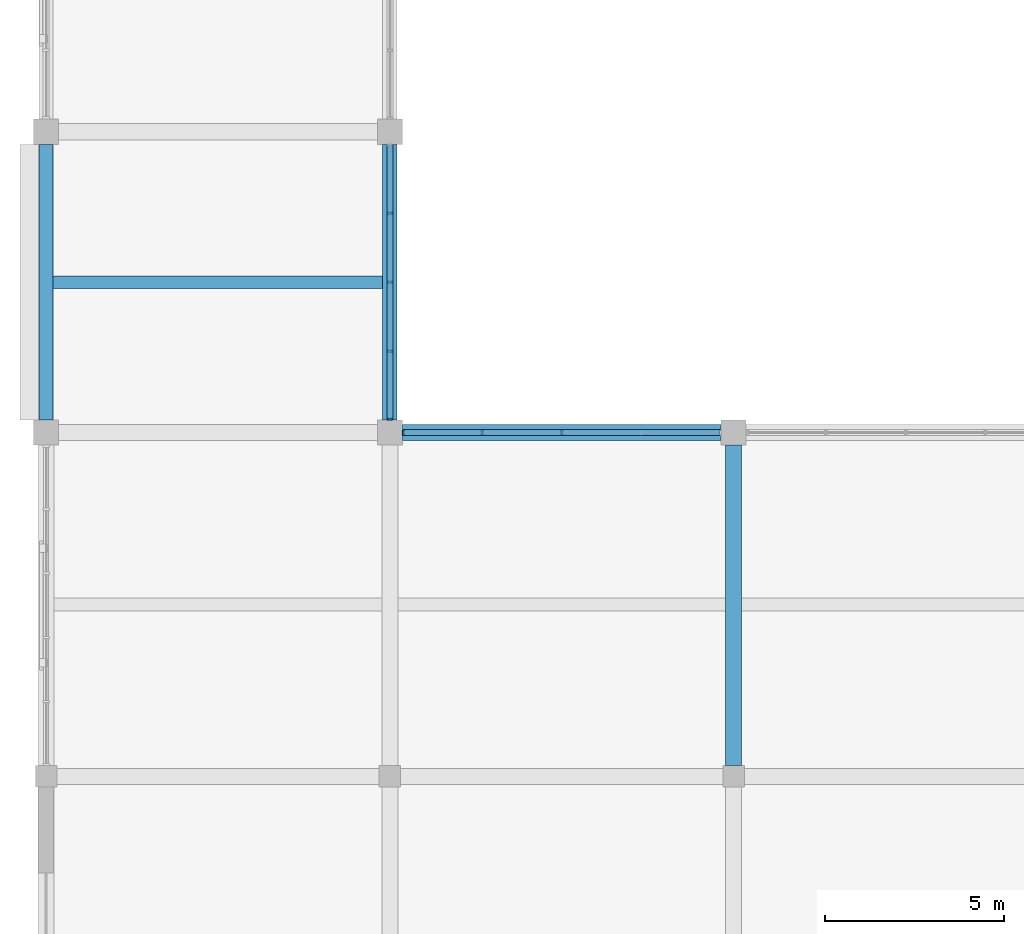
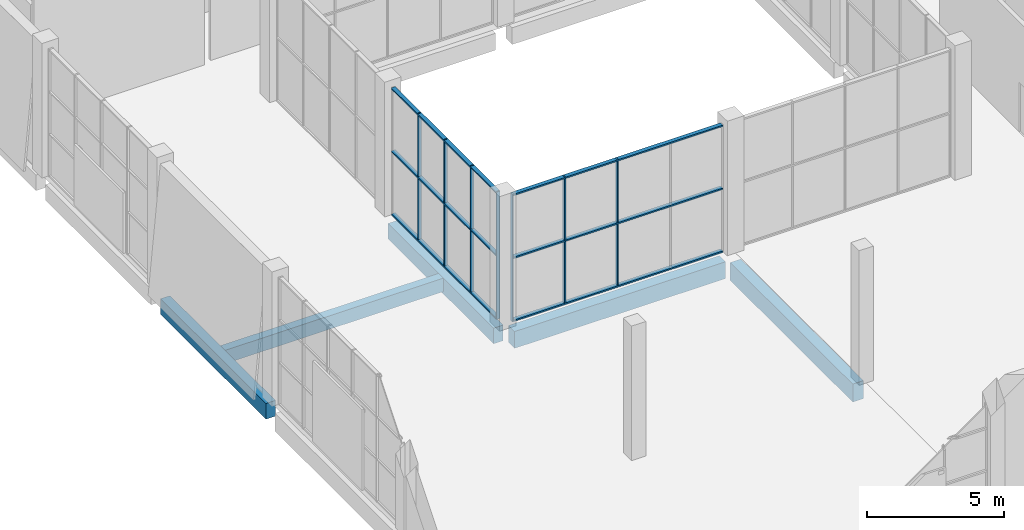
# One storey, part 19 of 84: 13 members, 5 beams, 2 elements without a shape of their own.
"""IFC4 building model written with IfcOpenShell, lengths in metres."""

import ifcopenshell
import ifcopenshell.guid

model = None  # the IFC model being written
_history = None  # IfcOwnerHistory: only IFC2X3 demands one
_inside = {}  # id of a spatial element -> (the spatial element, [elements in it])
_under = {}  # id of a project, library or spatial element -> (it, [spatial elements below it])
_declared = {}  # id of a project -> (the project, [libraries it declares])
_typed = {}  # id of a type object -> (the type object, [elements of that type])
_made_of = {}  # id of a material, layer set ... -> (it, [elements and type objects made of it])


def new_model(schema):
    """Start an empty IFC model of exactly this schema.

    Asked for "IFC4X3", IfcOpenShell would pick the latest addendum, in which some entities
    have other attributes; the version numbers below select the first issue.
    IFC2X3 requires an IfcOwnerHistory on every rooted entity: one is made here for all.
    """
    global model, _history
    if schema == "IFC4X3":
        model = ifcopenshell.file(schema_version=(4, 3, 0, 0))
    else:
        model = ifcopenshell.file(schema=schema)
    _inside.clear()
    _under.clear()
    _declared.clear()
    _typed.clear()
    _made_of.clear()
    _history = None
    if model.schema == "IFC2X3":
        org = make("IfcOrganization", Name="unknown")
        user = make(
            "IfcPersonAndOrganization",
            ThePerson=make("IfcPerson", FamilyName="unknown"),
            TheOrganization=org,
        )
        app = make(
            "IfcApplication",
            ApplicationDeveloper=org,
            Version="unknown",
            ApplicationFullName="unknown",
            ApplicationIdentifier="unknown",
        )
        _history = make(
            "IfcOwnerHistory",
            OwningUser=user,
            OwningApplication=app,
            ChangeAction="ADDED",
            CreationDate=0,
        )
    return model


def make(cls, **values):
    """One entity of the class cls with the attributes given. An attribute that is None is left unset."""
    return model.create_entity(
        cls, **{name: value for name, value in values.items() if value is not None}
    )


def rooted(cls, **values):
    """An entity with a GlobalId (a new one), such as an element, a storey or a relation."""
    return make(cls, GlobalId=ifcopenshell.guid.new(), OwnerHistory=_history, **values)


def si_unit(unit_type, name, prefix=None):
    """IfcSIUnit, for example si_unit("LENGTHUNIT", "METRE", prefix="MILLI")."""
    return make("IfcSIUnit", UnitType=unit_type, Prefix=prefix, Name=name)


def assignment(units):
    """IfcUnitAssignment: the units of a project."""
    return None if units is None else make("IfcUnitAssignment", Units=units)


def point(xyz):
    """IfcCartesianPoint."""
    return None if xyz is None else make("IfcCartesianPoint", Coordinates=xyz)


def direction(xyz):
    """IfcDirection."""
    return None if xyz is None else make("IfcDirection", DirectionRatios=xyz)


def frame(location, z_axis=None, x_axis=None):
    """IfcAxis2Placement3D, a coordinate frame: its origin and axes. An axis left out is left unset."""
    return make(
        "IfcAxis2Placement3D",
        Location=point(location),
        Axis=direction(z_axis),
        RefDirection=direction(x_axis),
    )


def frame_2d(location, x_axis=None):
    """IfcAxis2Placement2D, a coordinate frame in the plane: its origin and x axis."""
    return make(
        "IfcAxis2Placement2D", Location=point(location), RefDirection=direction(x_axis)
    )


def origin():
    """The frame at (0, 0, 0) with its axes left unset."""
    return frame((0.0, 0.0, 0.0))


def origin_2d():
    """The frame at (0, 0) in the plane with its x axis left unset."""
    return frame_2d((0.0, 0.0))


def place(relative_to, where):
    """IfcLocalPlacement: puts the frame where relative to a parent placement (None: the world)."""
    return make(
        "IfcLocalPlacement", PlacementRelTo=relative_to, RelativePlacement=where
    )


def context(
    kind, dimensions, precision=None, world=None, true_north=None, identifier=None
):
    """IfcGeometricRepresentationContext, for example the 3D "Model" context."""
    return make(
        "IfcGeometricRepresentationContext",
        ContextIdentifier=identifier,
        ContextType=kind,
        CoordinateSpaceDimension=dimensions,
        Precision=precision,
        WorldCoordinateSystem=world,
        TrueNorth=true_north,
    )


def subcontext(parent, identifier, kind, view, scale=None):
    """IfcGeometricRepresentationSubContext, for example "Body" below "Model"."""
    return make(
        "IfcGeometricRepresentationSubContext",
        ContextIdentifier=identifier,
        ContextType=kind,
        ParentContext=parent,
        TargetScale=scale,
        TargetView=view,
    )


def project(units=None, contexts=None):
    """IfcProject with its units and contexts."""
    return rooted(
        "IfcProject",
        Name="project",
        RepresentationContexts=contexts,
        UnitsInContext=assignment(units),
    )


def spatial(cls, under=None, at=None, **own):
    """A site, building, storey or space (cls), placed at a placement, below another one or the project."""
    s = rooted(cls, ObjectPlacement=at, **own)
    if under is not None:
        _under.setdefault(under.id(), (under, []))[1].append(s)
    return s


def profile(cls, at=None, kind="AREA", **sizes):
    """A parametric profile (cls). Its sizes go by their IFC names, for example OverallWidth=200.0."""
    return make(cls, ProfileType=kind, Position=at, **sizes)


def rectangle(**sizes):
    """IfcRectangleProfileDef."""
    return profile("IfcRectangleProfileDef", **sizes)


def extrude(swept, where, along, depth):
    """IfcExtrudedAreaSolid: the profile swept, set in the frame where, extruded along a direction by depth."""
    return make(
        "IfcExtrudedAreaSolid",
        SweptArea=swept,
        Position=where,
        ExtrudedDirection=direction(along),
        Depth=depth,
    )


def shape(context_of_items, identifier, shape_type, items):
    """IfcShapeRepresentation: the items that make up one representation, for example the "Body"."""
    return make(
        "IfcShapeRepresentation",
        ContextOfItems=context_of_items,
        RepresentationIdentifier=identifier,
        RepresentationType=shape_type,
        Items=items,
    )


def material(Name=None, Category=None):
    """IfcMaterial."""
    return make("IfcMaterial", Name=Name, Category=Category)


def material_profile(
    of_material, cross_section, Name=None, Category=None, Priority=None
):
    """IfcMaterialProfile: a cross section and its material."""
    return make(
        "IfcMaterialProfile",
        Name=Name,
        Material=of_material,
        Profile=cross_section,
        Priority=Priority,
        Category=Category,
    )


def profile_set(profiles, Name=None, composite=None):
    """IfcMaterialProfileSet."""
    return make(
        "IfcMaterialProfileSet",
        Name=Name,
        MaterialProfiles=profiles,
        CompositeProfile=composite,
    )


def made_of(thing, what):
    """Note that an element or type object is made of a material, layer set ...; save() writes the relation."""
    if what is not None:
        _made_of.setdefault(what.id(), (what, []))[1].append(thing)
    return thing


def type_object(cls, material=None, **own):
    """A type object (cls), such as IfcWallType, which elements share."""
    return made_of(rooted(cls, **own), material)


def element(
    cls,
    number,
    at=None,
    inside=None,
    cuts=None,
    type_object=None,
    material=None,
    context=None,
    identifier="Body",
    shape_type=None,
    held_by="IfcProductDefinitionShape",
    body=None,
    shapes=None,
    **own,
):
    """One element of the class cls, such as IfcWall. Its Tag is "e" and its number.

    at: its placement. inside: the storey or other place that contains it. cuts: it is an
    opening in that element (IfcRelVoidsElement). A single representation is given by context,
    identifier, shape_type and body (its items); several are given by shapes. held_by: the class
    of the entity that holds the representations. save() writes the other relations.
    """
    e = rooted(cls, Tag="e%d" % number, ObjectPlacement=at, **own)
    if body is not None:
        shapes = [shape(context, identifier, shape_type, body)]
    if shapes is not None:
        e.Representation = make(held_by, Representations=shapes)
    if inside is not None:
        _inside.setdefault(inside.id(), (inside, []))[1].append(e)
    if cuts is not None:
        rooted(
            "IfcRelVoidsElement", RelatingBuildingElement=cuts, RelatedOpeningElement=e
        )
    if type_object is not None:
        _typed.setdefault(type_object.id(), (type_object, []))[1].append(e)
    return made_of(e, material)


def aggregate(whole, parts):
    """IfcRelAggregates: a whole, such as a stair, and the parts it consists of."""
    return rooted("IfcRelAggregates", RelatingObject=whole, RelatedObjects=parts)


def save(model, path):
    """Write the relations noted so far, then the file.

    IfcRelAggregates (storeys below a building ...), IfcRelContainedInSpatialStructure (elements
    in a storey), IfcRelDefinesByType, IfcRelAssociatesMaterial and IfcRelDeclares: one each for
    every whole, place, type object, material and project.
    """
    for whole, parts in _under.values():
        aggregate(whole, parts)
    for where, things in _inside.values():
        rooted(
            "IfcRelContainedInSpatialStructure",
            RelatedElements=things,
            RelatingStructure=where,
        )
    for kind, things in _typed.values():
        rooted("IfcRelDefinesByType", RelatedObjects=things, RelatingType=kind)
    for what, things in _made_of.values():
        rooted("IfcRelAssociatesMaterial", RelatedObjects=things, RelatingMaterial=what)
    for by, libraries in _declared.values():
        rooted("IfcRelDeclares", RelatingContext=by, RelatedDefinitions=libraries)
    model.write(path)


model = new_model("IFC4")

# Units and contexts
model_context = context("Model", 3, precision=1e-05, world=origin(), true_north=direction((0.0, 1.0)))
body_context = subcontext(model_context, "Body", "Model", "MODEL_VIEW")
ifc_project = project(units=[si_unit("LENGTHUNIT", "METRE"), si_unit("AREAUNIT", "SQUARE_METRE"), si_unit("VOLUMEUNIT", "CUBIC_METRE"), si_unit("PLANEANGLEUNIT", "RADIAN"), si_unit("MASSUNIT", "GRAM", prefix="KILO")], contexts=[model_context])

# Site, building, storey
site_placement = place(None, origin())
site = spatial("IfcSite", under=ifc_project, at=site_placement, CompositionType="ELEMENT")
building_placement = place(site_placement, origin())
building = spatial("IfcBuilding", under=site, at=building_placement, Name="Shalvenor Court Art Gallery", CompositionType="ELEMENT")
storey_placement = place(building_placement, origin())
storey = spatial("IfcBuildingStorey", under=building, at=storey_placement, Name="L00", CompositionType="ELEMENT", Elevation=0.0)

# Beams
ifc_material_1 = material(Name="Concrete C40/50", Category="concrete")
ifc_material_profile_1 = material_profile(ifc_material_1, rectangle(XDim=0.449951171875, YDim=0.800048828125, at=origin_2d()), Name="RC 450x800")
ifc_profile_set_1 = profile_set([ifc_material_profile_1], Name="Concrete C40/50")
beam_type_1 = type_object("IfcBeamType", Name="B-03", PredefinedType="BEAM", material=ifc_profile_set_1)
beam_1_placement = place(storey_placement, frame((19.199951171875, 79.5, -0.739990234375), z_axis=(0.0, 1.0, 0.0), x_axis=(-1.0, 0.0, 0.0)))
element("IfcBeam", 1, at=beam_1_placement, inside=storey, type_object=beam_type_1, Name="L00 Girder BM-L00-B-03-0022", PredefinedType="BEAM", context=body_context, shape_type="SweptSolid", body=[
    extrude(rectangle(XDim=0.449951171875, YDim=0.800048828125, at=origin_2d()), origin(), (0.0, 0.0, 1.0), 8.949951171875),
])
ifc_material_2 = material(Name="Concrete C40/50", Category="concrete")
ifc_material_profile_2 = material_profile(ifc_material_2, rectangle(XDim=0.449951171875, YDim=0.75, at=origin_2d()), Name="RC 450x750")
ifc_profile_set_2 = profile_set([ifc_material_profile_2], Name="Concrete C40/50")
beam_type_2 = type_object("IfcBeamType", Name="B-04", PredefinedType="BEAM", material=ifc_profile_set_2)
beam_2_placement = place(storey_placement, frame((9.949951171875, 88.800048828125, -0.715087890625), z_axis=(1.0, 0.0, 0.0), x_axis=(0.0, 1.0, 0.0)))
element("IfcBeam", 2, at=beam_2_placement, inside=storey, type_object=beam_type_2, Name="L00 Girder BM-L00-B-04-0229", PredefinedType="BEAM", context=body_context, shape_type="SweptSolid", body=[
    extrude(rectangle(XDim=0.449951171875, YDim=0.75, at=origin_2d()), origin(), (0.0, 0.0, 1.0), 8.900146484375),
])
ifc_material_3 = material(Name="Concrete C40/50", Category="concrete")
ifc_material_profile_3 = material_profile(ifc_material_3, rectangle(XDim=0.39990234375, YDim=0.699951171875, at=origin_2d()), Name="RC 400x700")
ifc_profile_set_3 = profile_set([ifc_material_profile_3], Name="Concrete C40/50")
beam_type_3 = type_object("IfcBeamType", Name="B-05", PredefinedType="BEAM", material=ifc_profile_set_3)
for number, where, z_axis, x_axis, name in (
    (3, (0.0, 89.14990234375, -0.68994140625), (0.0, 1.0, 0.0), (-1.0, 0.0, 0.0), "L00 Girder BM-L00-B-05-0006"),
    (4, (9.60009765625, 89.14990234375, -0.68994140625), (0.0, 1.0, 0.0), (-1.0, 0.0, 0.0), "L00 Girder BM-L00-B-05-0014"),
):
    element("IfcBeam", number, at=place(storey_placement, frame(where, z_axis=z_axis, x_axis=x_axis)), inside=storey, type_object=beam_type_3, Name=name, PredefinedType="BEAM", context=body_context, shape_type="SweptSolid", body=[
        extrude(rectangle(XDim=0.39990234375, YDim=0.699951171875, at=origin_2d()), origin(), (0.0, 0.0, 1.0), 7.7001953125),
    ])

# Curtain wall, members
ifc_material_4 = material(Name="Anodised aluminium and low-iron glass curtain wall", Category="aluminium")
curtain_wall_type_1 = type_object("IfcCurtainWallType", Name="CW-CT-4-89", PredefinedType="USERDEFINED", material=ifc_material_4)
curtain_wall_1_placement = place(storey_placement, origin())
curtain_wall_1 = element("IfcCurtainWall", 5, at=curtain_wall_1_placement, inside=storey, type_object=curtain_wall_type_1, Name="L00 Studios Courtyard Curtain Wall CW-CRT-L00-159", ObjectType="CURTAIN WALL", PredefinedType="USERDEFINED")
ifc_material_5 = material(Name="Anodised aluminium mullion", Category="aluminium")
ifc_material_profile_4 = material_profile(ifc_material_5, rectangle(XDim=0.054931640625, YDim=0.139892578125, at=origin_2d()), Name="CWM-06")
ifc_profile_set_4 = profile_set([ifc_material_profile_4], Name="Anodised aluminium mullion")
member_type_1 = type_object("IfcMemberType", Name="CWM-06", PredefinedType="MULLION", material=ifc_profile_set_4)
member_1_placement = place(storey_placement, frame((9.9775390625, 88.800048828125, 0.0), z_axis=(0.0, 0.0, 1.0), x_axis=(1.0, 0.0, 0.0)))
member_1 = element("IfcMember", 6, at=member_1_placement, type_object=member_type_1, Name="CW-CT-4-89 mullion 1", PredefinedType="MULLION", context=body_context, shape_type="SweptSolid", body=[
    extrude(rectangle(XDim=0.054931640625, YDim=0.139892578125, at=origin_2d()), origin(), (0.0, 0.0, 1.0), 5.679931640625),
])
member_2_placement = place(storey_placement, frame((12.175048828125, 88.800048828125, 0.0), z_axis=(0.0, 0.0, 1.0), x_axis=(1.0, 0.0, 0.0)))
member_2 = element("IfcMember", 7, at=member_2_placement, type_object=member_type_1, Name="CW-CT-4-89 mullion 2", PredefinedType="MULLION", context=body_context, shape_type="SweptSolid", body=[
    extrude(rectangle(XDim=0.054931640625, YDim=0.139892578125, at=origin_2d()), origin(), (0.0, 0.0, 1.0), 5.679931640625),
])
member_3_placement = place(storey_placement, frame((14.39990234375, 88.800048828125, 0.0), z_axis=(0.0, 0.0, 1.0), x_axis=(1.0, 0.0, 0.0)))
member_3 = element("IfcMember", 8, at=member_3_placement, type_object=member_type_1, Name="CW-CT-4-89 mullion 3", PredefinedType="MULLION", context=body_context, shape_type="SweptSolid", body=[
    extrude(rectangle(XDim=0.054931640625, YDim=0.139892578125, at=origin_2d()), origin(), (0.0, 0.0, 1.0), 5.679931640625),
])

ifc_material_6 = material(Name="Anodised aluminium and low-iron glass curtain wall", Category="aluminium")
curtain_wall_type_2 = type_object("IfcCurtainWallType", Name="CW-CT-4-77", PredefinedType="USERDEFINED", material=ifc_material_6)
curtain_wall_2_placement = place(storey_placement, origin())
curtain_wall_2 = element("IfcCurtainWall", 9, at=curtain_wall_2_placement, inside=storey, type_object=curtain_wall_type_2, Name="L00 Studios Courtyard Curtain Wall CW-CRT-L00-166", ObjectType="CURTAIN WALL", PredefinedType="USERDEFINED")
member_4_placement = place(storey_placement, frame((9.60009765625, 94.925048828125, 0.0), z_axis=(0.0, 0.0, 1.0), x_axis=(0.0, -1.0, 0.0)))
member_4 = element("IfcMember", 10, at=member_4_placement, type_object=member_type_1, Name="CW-CT-4-77 mullion 2", PredefinedType="MULLION", context=body_context, shape_type="SweptSolid", body=[
    extrude(rectangle(XDim=0.054931640625, YDim=0.139892578125, at=origin_2d()), origin(), (0.0, 0.0, 1.0), 5.679931640625),
])
member_5_placement = place(storey_placement, frame((9.60009765625, 93.0, 0.0), z_axis=(0.0, 0.0, 1.0), x_axis=(0.0, -1.0, 0.0)))
member_5 = element("IfcMember", 11, at=member_5_placement, type_object=member_type_1, Name="CW-CT-4-77 mullion 3", PredefinedType="MULLION", context=body_context, shape_type="SweptSolid", body=[
    extrude(rectangle(XDim=0.054931640625, YDim=0.139892578125, at=origin_2d()), origin(), (0.0, 0.0, 1.0), 5.679931640625),
])
member_6_placement = place(storey_placement, frame((9.60009765625, 91.074951171875, 0.0), z_axis=(0.0, 0.0, 1.0), x_axis=(0.0, -1.0, 0.0)))
member_6 = element("IfcMember", 12, at=member_6_placement, type_object=member_type_1, Name="CW-CT-4-77 mullion 4", PredefinedType="MULLION", context=body_context, shape_type="SweptSolid", body=[
    extrude(rectangle(XDim=0.054931640625, YDim=0.139892578125, at=origin_2d()), origin(), (0.0, 0.0, 1.0), 5.679931640625),
])
member_7_placement = place(storey_placement, frame((9.60009765625, 89.177490234375, 0.0), z_axis=(0.0, 0.0, 1.0), x_axis=(0.0, -1.0, 0.0)))
member_7 = element("IfcMember", 13, at=member_7_placement, type_object=member_type_1, Name="CW-CT-4-77 mullion 5", PredefinedType="MULLION", context=body_context, shape_type="SweptSolid", body=[
    extrude(rectangle(XDim=0.054931640625, YDim=0.139892578125, at=origin_2d()), origin(), (0.0, 0.0, 1.0), 5.679931640625),
])

# Member
ifc_material_7 = material(Name="Anodised aluminium transom", Category="aluminium")
ifc_material_profile_5 = material_profile(ifc_material_7, rectangle(XDim=0.169921875, YDim=0.06494140625, at=origin_2d()), Name="CWT-02")
ifc_profile_set_5 = profile_set([ifc_material_profile_5], Name="Anodised aluminium transom")
member_type_2 = type_object("IfcMemberType", Name="CWT-02", PredefinedType="USERDEFINED", material=ifc_profile_set_5)
member_8_placement = place(storey_placement, frame((9.9775390625, 88.800048828125, 0.032470703125), z_axis=(1.0, 0.0, 0.0), x_axis=(0.0, 1.0, 0.0)))
member_8 = element("IfcMember", 14, at=member_8_placement, type_object=member_type_2, Name="CW-CT-4-89 transom 1", ObjectType="TRANSOM", PredefinedType="USERDEFINED", context=body_context, shape_type="SweptSolid", body=[
    extrude(rectangle(XDim=0.169921875, YDim=0.06494140625, at=origin_2d()), origin(), (0.0, 0.0, 1.0), 8.844970703125),
])

member_9_placement = place(storey_placement, frame((9.9775390625, 88.800048828125, 2.840087890625), z_axis=(1.0, 0.0, 0.0), x_axis=(0.0, 1.0, 0.0)))
member_9 = element("IfcMember", 15, at=member_9_placement, type_object=member_type_2, Name="CW-CT-4-89 transom 2", ObjectType="TRANSOM", PredefinedType="USERDEFINED", context=body_context, shape_type="SweptSolid", body=[
    extrude(rectangle(XDim=0.169921875, YDim=0.06494140625, at=origin_2d()), origin(), (0.0, 0.0, 1.0), 8.844970703125),
])

member_10_placement = place(storey_placement, frame((9.9775390625, 88.800048828125, 5.6474609375), z_axis=(1.0, 0.0, 0.0), x_axis=(0.0, 1.0, 0.0)))
member_10 = element("IfcMember", 16, at=member_10_placement, type_object=member_type_2, Name="CW-CT-4-89 transom 3", ObjectType="TRANSOM", PredefinedType="USERDEFINED", context=body_context, shape_type="SweptSolid", body=[
    extrude(rectangle(XDim=0.169921875, YDim=0.06494140625, at=origin_2d()), origin(), (0.0, 0.0, 1.0), 8.844970703125),
])

aggregate(curtain_wall_1, [member_1, member_2, member_3, member_8, member_9, member_10])

member_11_placement = place(storey_placement, frame((9.60009765625, 96.822509765625, 0.032470703125), z_axis=(0.0, -1.0, 0.0), x_axis=(1.0, 0.0, 0.0)))
member_11 = element("IfcMember", 17, at=member_11_placement, type_object=member_type_2, Name="CW-CT-4-77 transom 1", ObjectType="TRANSOM", PredefinedType="USERDEFINED", context=body_context, shape_type="SweptSolid", body=[
    extrude(rectangle(XDim=0.169921875, YDim=0.06494140625, at=origin_2d()), origin(), (0.0, 0.0, 1.0), 7.64501953125),
])

member_12_placement = place(storey_placement, frame((9.60009765625, 96.822509765625, 2.840087890625), z_axis=(0.0, -1.0, 0.0), x_axis=(1.0, 0.0, 0.0)))
member_12 = element("IfcMember", 18, at=member_12_placement, type_object=member_type_2, Name="CW-CT-4-77 transom 2", ObjectType="TRANSOM", PredefinedType="USERDEFINED", context=body_context, shape_type="SweptSolid", body=[
    extrude(rectangle(XDim=0.169921875, YDim=0.06494140625, at=origin_2d()), origin(), (0.0, 0.0, 1.0), 7.64501953125),
])

member_13_placement = place(storey_placement, frame((9.60009765625, 96.822509765625, 5.6474609375), z_axis=(0.0, -1.0, 0.0), x_axis=(1.0, 0.0, 0.0)))
member_13 = element("IfcMember", 19, at=member_13_placement, type_object=member_type_2, Name="CW-CT-4-77 transom 3", ObjectType="TRANSOM", PredefinedType="USERDEFINED", context=body_context, shape_type="SweptSolid", body=[
    extrude(rectangle(XDim=0.169921875, YDim=0.06494140625, at=origin_2d()), origin(), (0.0, 0.0, 1.0), 7.64501953125),
])

aggregate(curtain_wall_2, [member_4, member_5, member_6, member_7, member_11, member_12, member_13])

# Beam
ifc_material_8 = material(Name="Concrete C40/50", Category="concrete")
ifc_material_profile_6 = material_profile(ifc_material_8, rectangle(XDim=0.35009765625, YDim=0.60009765625, at=origin_2d()), Name="RC 350x600")
ifc_profile_set_6 = profile_set([ifc_material_profile_6], Name="Concrete C40/50")
beam_type_4 = type_object("IfcBeamType", Name="J-01", PredefinedType="JOIST", material=ifc_profile_set_6)
beam_3_placement = place(storey_placement, frame((0.199951171875, 93.0, -0.639892578125), z_axis=(1.0, 0.0, 0.0), x_axis=(0.0, 1.0, 0.0)))
element("IfcBeam", 20, at=beam_3_placement, inside=storey, type_object=beam_type_4, Name="L00 Secondary Beam JST-L00-J-01-0283", PredefinedType="JOIST", context=body_context, shape_type="SweptSolid", body=[
    extrude(rectangle(XDim=0.35009765625, YDim=0.60009765625, at=origin_2d()), origin(), (0.0, 0.0, 1.0), 9.199951171875),
])

save(model, "model.ifc")
